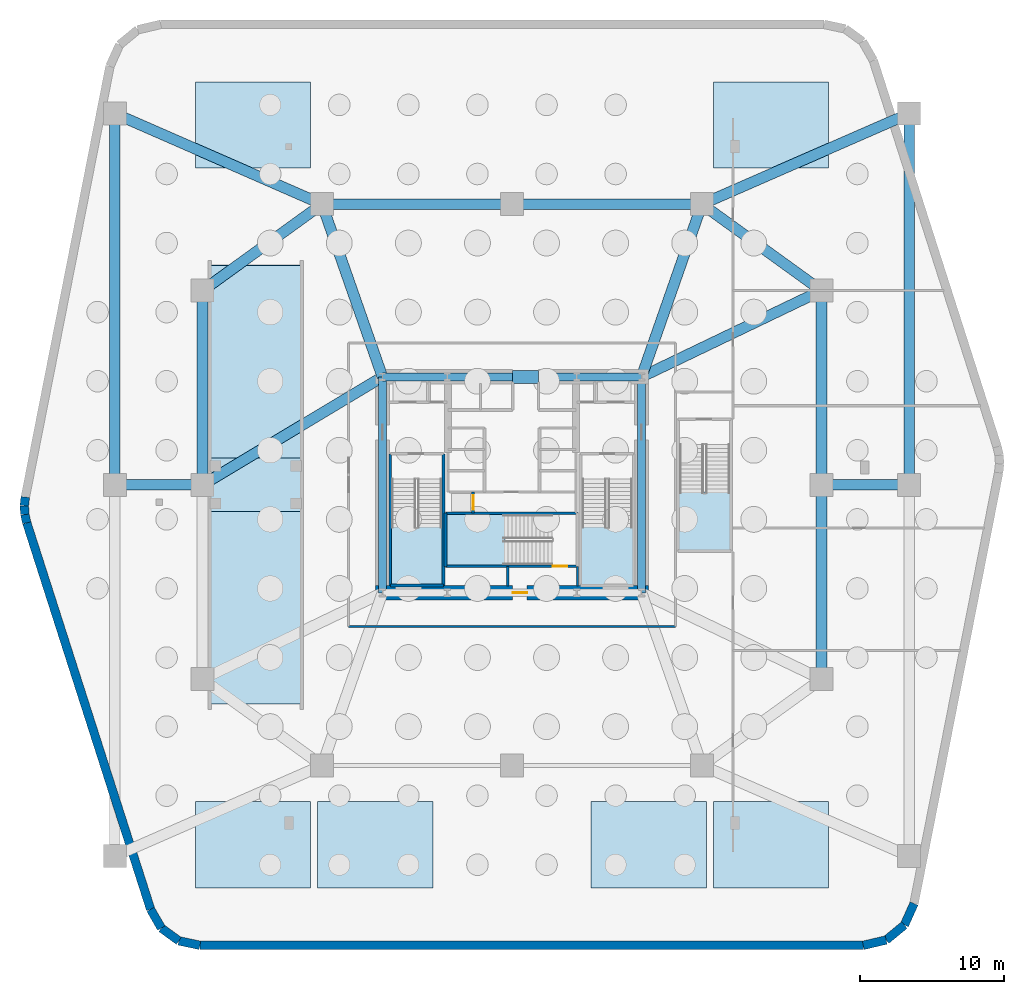
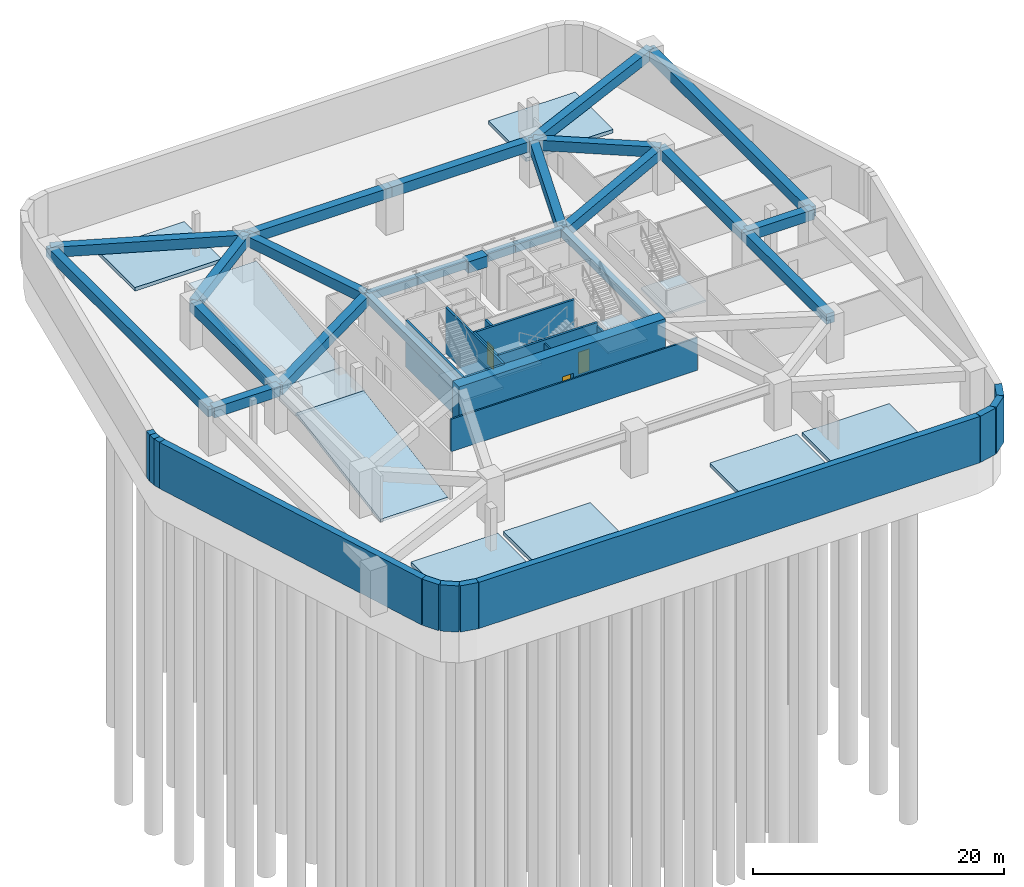
# One storey, part 2 of 8: 23 beams, 22 walls, 13 slabs, 3 doors, 3 openings, 4 elements without a shape of their own.
"""IFC4 building model written with IfcOpenShell, lengths in metres."""

import ifcopenshell
import ifcopenshell.guid

model = None  # the IFC model being written
_history = None  # IfcOwnerHistory: only IFC2X3 demands one
_inside = {}  # id of a spatial element -> (the spatial element, [elements in it])
_under = {}  # id of a project, library or spatial element -> (it, [spatial elements below it])
_declared = {}  # id of a project -> (the project, [libraries it declares])
_typed = {}  # id of a type object -> (the type object, [elements of that type])
_made_of = {}  # id of a material, layer set ... -> (it, [elements and type objects made of it])


def new_model(schema):
    """Start an empty IFC model of exactly this schema.

    Asked for "IFC4X3", IfcOpenShell would pick the latest addendum, in which some entities
    have other attributes; the version numbers below select the first issue.
    IFC2X3 requires an IfcOwnerHistory on every rooted entity: one is made here for all.
    """
    global model, _history
    if schema == "IFC4X3":
        model = ifcopenshell.file(schema_version=(4, 3, 0, 0))
    else:
        model = ifcopenshell.file(schema=schema)
    _inside.clear()
    _under.clear()
    _declared.clear()
    _typed.clear()
    _made_of.clear()
    _history = None
    if model.schema == "IFC2X3":
        org = make("IfcOrganization", Name="unknown")
        user = make(
            "IfcPersonAndOrganization",
            ThePerson=make("IfcPerson", FamilyName="unknown"),
            TheOrganization=org,
        )
        app = make(
            "IfcApplication",
            ApplicationDeveloper=org,
            Version="unknown",
            ApplicationFullName="unknown",
            ApplicationIdentifier="unknown",
        )
        _history = make(
            "IfcOwnerHistory",
            OwningUser=user,
            OwningApplication=app,
            ChangeAction="ADDED",
            CreationDate=0,
        )
    return model


def make(cls, **values):
    """One entity of the class cls with the attributes given. An attribute that is None is left unset."""
    return model.create_entity(
        cls, **{name: value for name, value in values.items() if value is not None}
    )


def rooted(cls, **values):
    """An entity with a GlobalId (a new one), such as an element, a storey or a relation."""
    return make(cls, GlobalId=ifcopenshell.guid.new(), OwnerHistory=_history, **values)


def si_unit(unit_type, name, prefix=None):
    """IfcSIUnit, for example si_unit("LENGTHUNIT", "METRE", prefix="MILLI")."""
    return make("IfcSIUnit", UnitType=unit_type, Prefix=prefix, Name=name)


def assignment(units):
    """IfcUnitAssignment: the units of a project."""
    return None if units is None else make("IfcUnitAssignment", Units=units)


def point(xyz):
    """IfcCartesianPoint."""
    return None if xyz is None else make("IfcCartesianPoint", Coordinates=xyz)


def direction(xyz):
    """IfcDirection."""
    return None if xyz is None else make("IfcDirection", DirectionRatios=xyz)


def frame(location, z_axis=None, x_axis=None):
    """IfcAxis2Placement3D, a coordinate frame: its origin and axes. An axis left out is left unset."""
    return make(
        "IfcAxis2Placement3D",
        Location=point(location),
        Axis=direction(z_axis),
        RefDirection=direction(x_axis),
    )


def frame_2d(location, x_axis=None):
    """IfcAxis2Placement2D, a coordinate frame in the plane: its origin and x axis."""
    return make(
        "IfcAxis2Placement2D", Location=point(location), RefDirection=direction(x_axis)
    )


def origin():
    """The frame at (0, 0, 0) with its axes left unset."""
    return frame((0.0, 0.0, 0.0))


def origin_2d():
    """The frame at (0, 0) in the plane with its x axis left unset."""
    return frame_2d((0.0, 0.0))


def place(relative_to, where):
    """IfcLocalPlacement: puts the frame where relative to a parent placement (None: the world)."""
    return make(
        "IfcLocalPlacement", PlacementRelTo=relative_to, RelativePlacement=where
    )


def context(
    kind, dimensions, precision=None, world=None, true_north=None, identifier=None
):
    """IfcGeometricRepresentationContext, for example the 3D "Model" context."""
    return make(
        "IfcGeometricRepresentationContext",
        ContextIdentifier=identifier,
        ContextType=kind,
        CoordinateSpaceDimension=dimensions,
        Precision=precision,
        WorldCoordinateSystem=world,
        TrueNorth=true_north,
    )


def subcontext(parent, identifier, kind, view, scale=None):
    """IfcGeometricRepresentationSubContext, for example "Body" below "Model"."""
    return make(
        "IfcGeometricRepresentationSubContext",
        ContextIdentifier=identifier,
        ContextType=kind,
        ParentContext=parent,
        TargetScale=scale,
        TargetView=view,
    )


def project(units=None, contexts=None):
    """IfcProject with its units and contexts."""
    return rooted(
        "IfcProject",
        Name="project",
        RepresentationContexts=contexts,
        UnitsInContext=assignment(units),
    )


def spatial(cls, under=None, at=None, **own):
    """A site, building, storey or space (cls), placed at a placement, below another one or the project."""
    s = rooted(cls, ObjectPlacement=at, **own)
    if under is not None:
        _under.setdefault(under.id(), (under, []))[1].append(s)
    return s


def polyline(points):
    """IfcPolyline through the points."""
    return make("IfcPolyline", Points=[point(p) for p in points])


def profile(cls, at=None, kind="AREA", **sizes):
    """A parametric profile (cls). Its sizes go by their IFC names, for example OverallWidth=200.0."""
    return make(cls, ProfileType=kind, Position=at, **sizes)


def rectangle(**sizes):
    """IfcRectangleProfileDef."""
    return profile("IfcRectangleProfileDef", **sizes)


def outline(outer, holes=None, kind="AREA"):
    """IfcArbitraryClosedProfileDef: a profile drawn as a closed curve; with holes, ...WithVoids."""
    if holes is None:
        return make("IfcArbitraryClosedProfileDef", ProfileType=kind, OuterCurve=outer)
    return make(
        "IfcArbitraryProfileDefWithVoids",
        ProfileType=kind,
        OuterCurve=outer,
        InnerCurves=holes,
    )


def extrude(swept, where, along, depth):
    """IfcExtrudedAreaSolid: the profile swept, set in the frame where, extruded along a direction by depth."""
    return make(
        "IfcExtrudedAreaSolid",
        SweptArea=swept,
        Position=where,
        ExtrudedDirection=direction(along),
        Depth=depth,
    )


def shape(context_of_items, identifier, shape_type, items):
    """IfcShapeRepresentation: the items that make up one representation, for example the "Body"."""
    return make(
        "IfcShapeRepresentation",
        ContextOfItems=context_of_items,
        RepresentationIdentifier=identifier,
        RepresentationType=shape_type,
        Items=items,
    )


def material(Name=None, Category=None):
    """IfcMaterial."""
    return make("IfcMaterial", Name=Name, Category=Category)


def layer(
    of_material, thickness, ventilated=None, Name=None, Category=None, Priority=None
):
    """IfcMaterialLayer: one layer of a wall or slab, of a material (None: an air gap)."""
    return make(
        "IfcMaterialLayer",
        Material=of_material,
        LayerThickness=thickness,
        IsVentilated=ventilated,
        Name=Name,
        Category=Category,
        Priority=Priority,
    )


def layer_set(layers, Name=None):
    """IfcMaterialLayerSet."""
    return make("IfcMaterialLayerSet", MaterialLayers=layers, LayerSetName=Name)


def material_profile(
    of_material, cross_section, Name=None, Category=None, Priority=None
):
    """IfcMaterialProfile: a cross section and its material."""
    return make(
        "IfcMaterialProfile",
        Name=Name,
        Material=of_material,
        Profile=cross_section,
        Priority=Priority,
        Category=Category,
    )


def profile_set(profiles, Name=None, composite=None):
    """IfcMaterialProfileSet."""
    return make(
        "IfcMaterialProfileSet",
        Name=Name,
        MaterialProfiles=profiles,
        CompositeProfile=composite,
    )


def made_of(thing, what):
    """Note that an element or type object is made of a material, layer set ...; save() writes the relation."""
    if what is not None:
        _made_of.setdefault(what.id(), (what, []))[1].append(thing)
    return thing


def type_object(cls, material=None, **own):
    """A type object (cls), such as IfcWallType, which elements share."""
    return made_of(rooted(cls, **own), material)


def element(
    cls,
    number,
    at=None,
    inside=None,
    cuts=None,
    type_object=None,
    material=None,
    context=None,
    identifier="Body",
    shape_type=None,
    held_by="IfcProductDefinitionShape",
    body=None,
    shapes=None,
    **own,
):
    """One element of the class cls, such as IfcWall. Its Tag is "e" and its number.

    at: its placement. inside: the storey or other place that contains it. cuts: it is an
    opening in that element (IfcRelVoidsElement). A single representation is given by context,
    identifier, shape_type and body (its items); several are given by shapes. held_by: the class
    of the entity that holds the representations. save() writes the other relations.
    """
    e = rooted(cls, Tag="e%d" % number, ObjectPlacement=at, **own)
    if body is not None:
        shapes = [shape(context, identifier, shape_type, body)]
    if shapes is not None:
        e.Representation = make(held_by, Representations=shapes)
    if inside is not None:
        _inside.setdefault(inside.id(), (inside, []))[1].append(e)
    if cuts is not None:
        rooted(
            "IfcRelVoidsElement", RelatingBuildingElement=cuts, RelatedOpeningElement=e
        )
    if type_object is not None:
        _typed.setdefault(type_object.id(), (type_object, []))[1].append(e)
    return made_of(e, material)


def fill(opening, filler):
    """IfcRelFillsElement: the door or window that sits in an opening."""
    return rooted(
        "IfcRelFillsElement",
        RelatingOpeningElement=opening,
        RelatedBuildingElement=filler,
    )


def aggregate(whole, parts):
    """IfcRelAggregates: a whole, such as a stair, and the parts it consists of."""
    return rooted("IfcRelAggregates", RelatingObject=whole, RelatedObjects=parts)


def save(model, path):
    """Write the relations noted so far, then the file.

    IfcRelAggregates (storeys below a building ...), IfcRelContainedInSpatialStructure (elements
    in a storey), IfcRelDefinesByType, IfcRelAssociatesMaterial and IfcRelDeclares: one each for
    every whole, place, type object, material and project.
    """
    for whole, parts in _under.values():
        aggregate(whole, parts)
    for where, things in _inside.values():
        rooted(
            "IfcRelContainedInSpatialStructure",
            RelatedElements=things,
            RelatingStructure=where,
        )
    for kind, things in _typed.values():
        rooted("IfcRelDefinesByType", RelatedObjects=things, RelatingType=kind)
    for what, things in _made_of.values():
        rooted("IfcRelAssociatesMaterial", RelatedObjects=things, RelatingMaterial=what)
    for by, libraries in _declared.values():
        rooted("IfcRelDeclares", RelatingContext=by, RelatedDefinitions=libraries)
    model.write(path)


model = new_model("IFC4")

# Units and contexts
model_context = context("Model", 3, precision=1e-05, world=origin(), true_north=direction((0.0, 1.0)))
body_context = subcontext(model_context, "Body", "Model", "MODEL_VIEW")
ifc_project = project(units=[si_unit("LENGTHUNIT", "METRE"), si_unit("AREAUNIT", "SQUARE_METRE"), si_unit("VOLUMEUNIT", "CUBIC_METRE"), si_unit("PLANEANGLEUNIT", "RADIAN"), si_unit("MASSUNIT", "GRAM", prefix="KILO")], contexts=[model_context])

# Site, building, storey
site_placement = place(None, origin())
site = spatial("IfcSite", under=ifc_project, at=site_placement, CompositionType="ELEMENT")
building_placement = place(site_placement, origin())
building = spatial("IfcBuilding", under=site, at=building_placement, Name="Kilnhurst Terrace Hotel", CompositionType="ELEMENT")
storey_placement = place(building_placement, frame((0.0, 0.0, -9.0)))
storey = spatial("IfcBuildingStorey", under=building, at=storey_placement, Name="B2", CompositionType="ELEMENT", Elevation=-9.0)

# Beams
ifc_material_1 = material(Name="Concrete C50/60", Category="concrete")
ifc_material_profile_1 = material_profile(ifc_material_1, rectangle(XDim=0.550048828125, YDim=0.75, at=origin_2d()), Name="RC550X750")
ifc_profile_set_1 = profile_set([ifc_material_profile_1], Name="Concrete C50/60")
beam_type_1 = type_object("IfcBeamType", Name="BM-SPN-550X750", PredefinedType="SPANDREL", material=ifc_profile_set_1)
beam_1_placement = place(storey_placement, frame((-9.0, 7.5, 3.804931640625), z_axis=(1.0, 0.0, 0.0), x_axis=(0.0, 1.0, 0.0)))
element("IfcBeam", 1, at=beam_1_placement, inside=storey, type_object=beam_type_1, Name="B2 Core Tie Beam CC-NW to CC-NC1", PredefinedType="SPANDREL", context=body_context, shape_type="SweptSolid", body=[
    extrude(rectangle(XDim=0.550048828125, YDim=0.75, at=origin_2d()), origin(), (0.0, 0.0, 1.0), 4.5),
])
beam_2_placement = place(storey_placement, frame((-4.5, 7.5, 3.804931640625), z_axis=(1.0, 0.0, 0.0), x_axis=(0.0, 1.0, 0.0)))
element("IfcBeam", 2, at=beam_2_placement, inside=storey, type_object=beam_type_1, Name="B2 Core Tie Beam CC-NC1 to CC-NC2", PredefinedType="SPANDREL", context=body_context, shape_type="SweptSolid", body=[
    extrude(rectangle(XDim=0.550048828125, YDim=0.75, at=origin_2d()), origin(), (0.0, 0.0, 1.0), 9.0),
])
beam_3_placement = place(storey_placement, frame((4.5, 7.5, 3.804931640625), z_axis=(1.0, 0.0, 0.0), x_axis=(0.0, 1.0, 0.0)))
element("IfcBeam", 3, at=beam_3_placement, inside=storey, type_object=beam_type_1, Name="B2 Core Tie Beam CC-NC2 to CC-NE", PredefinedType="SPANDREL", context=body_context, shape_type="SweptSolid", body=[
    extrude(rectangle(XDim=0.550048828125, YDim=0.75, at=origin_2d()), origin(), (0.0, 0.0, 1.0), 4.5),
])
for number, where, z_axis, x_axis, name in (
    (4, (-9.0, -7.5, 3.804931640625), (0.0, 1.0, 0.0), (-1.0, 0.0, 0.0), "B2 Core Tie Beam CC-SW to CC-NW"),
    (5, (9.0, -7.5, 3.804931640625), (0.0, 1.0, 0.0), (-1.0, 0.0, 0.0), "B2 Core Tie Beam CC-SE to CC-NE"),
):
    element("IfcBeam", number, at=place(storey_placement, frame(where, z_axis=z_axis, x_axis=x_axis)), inside=storey, type_object=beam_type_1, Name=name, PredefinedType="SPANDREL", context=body_context, shape_type="SweptSolid", body=[
        extrude(rectangle(XDim=0.550048828125, YDim=0.75, at=origin_2d()), origin(), (0.0, 0.0, 1.0), 15.0),
    ])
ifc_material_2 = material(Name="Concrete C80/95", Category="concrete")
ifc_material_profile_2 = material_profile(ifc_material_2, rectangle(XDim=0.89990234375, YDim=1.10009765625, at=origin_2d()), Name="RC900X1100")
ifc_profile_set_2 = profile_set([ifc_material_profile_2], Name="Concrete C80/95")
beam_type_2 = type_object("IfcBeamType", Name="LNT-CB-900X1100", PredefinedType="LINTEL", material=ifc_profile_set_2)
beam_4_placement = place(storey_placement, frame((0.050048828125, 7.5, 3.6298828125), z_axis=(1.0, 0.0, 0.0), x_axis=(0.0, 1.0, 0.0)))
element("IfcBeam", 6, at=beam_4_placement, inside=storey, type_object=beam_type_2, Name="B2 North Core Coupling Link Beam", PredefinedType="LINTEL", context=body_context, shape_type="SweptSolid", body=[
    extrude(rectangle(XDim=0.89990234375, YDim=1.10009765625, at=origin_2d()), origin(), (0.0, 0.0, 1.0), 1.800048828125),
])
ifc_material_profile_3 = material_profile(ifc_material_1, rectangle(XDim=0.75, YDim=1.0, at=origin_2d()), Name="RC750X1000")
ifc_profile_set_3 = profile_set([ifc_material_profile_3], Name="Concrete C50/60")
beam_type_3 = type_object("IfcBeamType", Name="TBM-GAR-750X1000", PredefinedType="T_BEAM", material=ifc_profile_set_3)
beam_5_placement = place(storey_placement, frame((-21.5, 0.0, 3.679931640625), z_axis=(0.0, 1.0, 0.0), x_axis=(-1.0, 0.0, 0.0)))
element("IfcBeam", 7, at=beam_5_placement, inside=storey, type_object=beam_type_3, Name="B2 Podium Frame Beam 2", PredefinedType="T_BEAM", context=body_context, shape_type="SweptSolid", body=[
    extrude(rectangle(XDim=0.75, YDim=1.0, at=origin_2d()), origin(), (0.0, 0.0, 1.0), 13.5),
])
beam_6_placement = place(storey_placement, frame((-21.5, 13.5, 3.679931640625), z_axis=(0.810423314702, 0.585844732833, 0.0), x_axis=(-0.585844732833, 0.810423314702, 0.0)))
element("IfcBeam", 8, at=beam_6_placement, inside=storey, type_object=beam_type_3, Name="B2 Podium Frame Beam 3", PredefinedType="T_BEAM", context=body_context, shape_type="SweptSolid", body=[
    extrude(rectangle(XDim=0.75, YDim=1.0, at=origin_2d()), origin(), (0.0, 0.0, 1.0), 10.24169921875),
])
for number, where, z_axis, x_axis, name in (
    (9, (-13.199951171875, 19.5, 3.679931640625), (1.0, 0.0, 0.0), (0.0, 1.0, 0.0), "B2 Podium Frame Beam 4"),
    (10, (0.0, 19.5, 3.679931640625), (1.0, 0.0, 0.0), (0.0, 1.0, 0.0), "B2 Podium Frame Beam 5"),
):
    element("IfcBeam", number, at=place(storey_placement, frame(where, z_axis=z_axis, x_axis=x_axis)), inside=storey, type_object=beam_type_3, Name=name, PredefinedType="T_BEAM", context=body_context, shape_type="SweptSolid", body=[
        extrude(rectangle(XDim=0.75, YDim=1.0, at=origin_2d()), origin(), (0.0, 0.0, 1.0), 13.199951171875),
    ])
beam_7_placement = place(storey_placement, frame((13.199951171875, 19.5, 3.679931640625), z_axis=(0.810423314702, -0.585844732833, 0.0), x_axis=(0.585844732833, 0.810423314702, 0.0)))
element("IfcBeam", 11, at=beam_7_placement, inside=storey, type_object=beam_type_3, Name="B2 Podium Frame Beam 6", PredefinedType="T_BEAM", context=body_context, shape_type="SweptSolid", body=[
    extrude(rectangle(XDim=0.75, YDim=1.0, at=origin_2d()), origin(), (0.0, 0.0, 1.0), 10.24169921875),
])
for number, where, z_axis, x_axis, name in (
    (12, (21.5, 13.5, 3.679931640625), (0.0, -1.0, 0.0), (1.0, 0.0, 0.0), "B2 Podium Frame Beam 7"),
    (13, (21.5, 0.0, 3.679931640625), (0.0, -1.0, 0.0), (1.0, 0.0, 0.0), "B2 Podium Frame Beam 8"),
):
    element("IfcBeam", number, at=place(storey_placement, frame(where, z_axis=z_axis, x_axis=x_axis)), inside=storey, type_object=beam_type_3, Name=name, PredefinedType="T_BEAM", context=body_context, shape_type="SweptSolid", body=[
        extrude(rectangle(XDim=0.75, YDim=1.0, at=origin_2d()), origin(), (0.0, 0.0, 1.0), 13.5),
    ])
beam_8_placement = place(storey_placement, frame((-21.5, 0.0, 3.679931640625), z_axis=(0.857492925713, 0.514495755428, 0.0), x_axis=(-0.514495755428, 0.857492925713, 0.0)))
element("IfcBeam", 14, at=beam_8_placement, inside=storey, type_object=beam_type_3, Name="B2 Podium Frame Beam 9", PredefinedType="T_BEAM", context=body_context, shape_type="SweptSolid", body=[
    extrude(rectangle(XDim=0.75, YDim=1.0, at=origin_2d()), origin(), (0.0, 0.0, 1.0), 14.577392578125),
])
beam_9_placement = place(storey_placement, frame((21.5, 13.5, 3.679931640625), z_axis=(-0.901523057468, -0.432731067585, 0.0), x_axis=(0.432731067585, -0.901523057468, 0.0)))
element("IfcBeam", 15, at=beam_9_placement, inside=storey, type_object=beam_type_3, Name="B2 Podium Frame Beam 11", PredefinedType="T_BEAM", context=body_context, shape_type="SweptSolid", body=[
    extrude(rectangle(XDim=0.75, YDim=1.0, at=origin_2d()), origin(), (0.0, 0.0, 1.0), 13.865478515625),
])
for number, where, z_axis, x_axis, name in (
    (16, (-13.199951171875, 19.5, 3.679931640625), (0.330347003279, -0.943859553866, 0.0), (0.943859553866, 0.330347003279, 0.0), "B2 Podium Frame Beam 13"),
    (17, (13.199951171875, 19.5, 3.679931640625), (-0.330347003279, -0.943859553866, 0.0), (0.943859553866, -0.330347003279, 0.0), "B2 Podium Frame Beam 14"),
):
    element("IfcBeam", number, at=place(storey_placement, frame(where, z_axis=z_axis, x_axis=x_axis)), inside=storey, type_object=beam_type_3, Name=name, PredefinedType="T_BEAM", context=body_context, shape_type="SweptSolid", body=[
        extrude(rectangle(XDim=0.75, YDim=1.0, at=origin_2d()), origin(), (0.0, 0.0, 1.0), 12.7138671875),
    ])
beam_10_placement = place(storey_placement, frame((-27.60009765625, 0.0, 3.679931640625), z_axis=(0.0, 1.0, 0.0), x_axis=(-1.0, 0.0, 0.0)))
element("IfcBeam", 18, at=beam_10_placement, inside=storey, type_object=beam_type_3, Name="B2 Outer Ring Tee Beam 2", PredefinedType="T_BEAM", context=body_context, shape_type="SweptSolid", body=[
    extrude(rectangle(XDim=0.75, YDim=1.0, at=origin_2d()), origin(), (0.0, 0.0, 1.0), 25.800048828125),
])
beam_11_placement = place(storey_placement, frame((-27.60009765625, 25.800048828125, 3.679931640625), z_axis=(0.916157691387, -0.400818019196, 0.0), x_axis=(0.400818019196, 0.916157691387, 0.0)))
element("IfcBeam", 19, at=beam_11_placement, inside=storey, type_object=beam_type_3, Name="B2 Outer Ring Tee Beam 3", PredefinedType="T_BEAM", context=body_context, shape_type="SweptSolid", body=[
    extrude(rectangle(XDim=0.75, YDim=1.0, at=origin_2d()), origin(), (0.0, 0.0, 1.0), 15.718017578125),
])
beam_12_placement = place(storey_placement, frame((27.60009765625, 0.0, 3.679931640625), z_axis=(0.0, 1.0, 0.0), x_axis=(-1.0, 0.0, 0.0)))
element("IfcBeam", 20, at=beam_12_placement, inside=storey, type_object=beam_type_3, Name="B2 Outer Ring Tee Beam 5", PredefinedType="T_BEAM", context=body_context, shape_type="SweptSolid", body=[
    extrude(rectangle(XDim=0.75, YDim=1.0, at=origin_2d()), origin(), (0.0, 0.0, 1.0), 25.800048828125),
])
beam_13_placement = place(storey_placement, frame((27.60009765625, 25.800048828125, 3.679931640625), z_axis=(-0.916157691387, -0.400818019196, 0.0), x_axis=(0.400818019196, -0.916157691387, 0.0)))
element("IfcBeam", 21, at=beam_13_placement, inside=storey, type_object=beam_type_3, Name="B2 Outer Ring Tee Beam 6", PredefinedType="T_BEAM", context=body_context, shape_type="SweptSolid", body=[
    extrude(rectangle(XDim=0.75, YDim=1.0, at=origin_2d()), origin(), (0.0, 0.0, 1.0), 15.718017578125),
])
for number, where, z_axis, x_axis, name in (
    (22, (-27.60009765625, 0.0, 3.679931640625), (1.0, 0.0, 0.0), (0.0, 1.0, 0.0), "B2 Outer Ring Tee Beam 7"),
    (23, (27.60009765625, 0.0, 3.679931640625), (-1.0, 0.0, 0.0), (0.0, -1.0, 0.0), "B2 Outer Ring Tee Beam 8"),
):
    element("IfcBeam", number, at=place(storey_placement, frame(where, z_axis=z_axis, x_axis=x_axis)), inside=storey, type_object=beam_type_3, Name=name, PredefinedType="T_BEAM", context=body_context, shape_type="SweptSolid", body=[
        extrude(rectangle(XDim=0.75, YDim=1.0, at=origin_2d()), origin(), (0.0, 0.0, 1.0), 6.10009765625),
    ])

# Slabs
ifc_layer_1 = layer(ifc_material_1, 0.35009765625, Name="Concrete C50/60")
ifc_layer_set_1 = layer_set([ifc_layer_1], Name="Concrete C50/60")
slab_type_1 = type_object("IfcSlabType", Name="SLB-BASE-350", PredefinedType="BASESLAB", material=ifc_layer_set_1)
slab_1_placement = place(storey_placement, origin())
element("IfcSlab", 24, at=slab_1_placement, inside=storey, type_object=slab_type_1, Name="B2 Basement Structural Wearing Base Slab 1", PredefinedType="BASESLAB", context=body_context, shape_type="SweptSolid", body=[
    extrude(outline(polyline([(-22.0, -28.0), (-14.0, -28.0), (-14.0, -22.0), (-22.0, -22.0), (-22.0, -28.0)])), origin(), (0.0, 0.0, 1.0), 0.35009765625),
])
slab_2_placement = place(storey_placement, origin())
element("IfcSlab", 25, at=slab_2_placement, inside=storey, type_object=slab_type_1, Name="B2 Basement Structural Wearing Base Slab 2", PredefinedType="BASESLAB", context=body_context, shape_type="SweptSolid", body=[
    extrude(outline(polyline([(-13.5, -28.0), (-5.5, -28.0), (-5.5, -22.0), (-13.5, -22.0), (-13.5, -28.0)])), origin(), (0.0, 0.0, 1.0), 0.35009765625),
])
slab_3_placement = place(storey_placement, origin())
element("IfcSlab", 26, at=slab_3_placement, inside=storey, type_object=slab_type_1, Name="B2 Basement Structural Wearing Base Slab 3", PredefinedType="BASESLAB", context=body_context, shape_type="SweptSolid", body=[
    extrude(outline(polyline([(5.5, -28.0), (13.5, -28.0), (13.5, -22.0), (5.5, -22.0), (5.5, -28.0)])), origin(), (0.0, 0.0, 1.0), 0.35009765625),
])
slab_4_placement = place(storey_placement, origin())
element("IfcSlab", 27, at=slab_4_placement, inside=storey, type_object=slab_type_1, Name="B2 Basement Structural Wearing Base Slab 4", PredefinedType="BASESLAB", context=body_context, shape_type="SweptSolid", body=[
    extrude(outline(polyline([(14.0, -28.0), (22.0, -28.0), (22.0, -22.0), (14.0, -22.0), (14.0, -28.0)])), origin(), (0.0, 0.0, 1.0), 0.35009765625),
])
slab_5_placement = place(storey_placement, origin())
element("IfcSlab", 28, at=slab_5_placement, inside=storey, type_object=slab_type_1, Name="B2 Basement Structural Wearing Base Slab 5", PredefinedType="BASESLAB", context=body_context, shape_type="SweptSolid", body=[
    extrude(outline(polyline([(-22.0, 22.0), (-14.0, 22.0), (-14.0, 28.0), (-22.0, 28.0), (-22.0, 22.0)])), origin(), (0.0, 0.0, 1.0), 0.35009765625),
])
slab_6_placement = place(storey_placement, origin())
element("IfcSlab", 29, at=slab_6_placement, inside=storey, type_object=slab_type_1, Name="B2 Basement Structural Wearing Base Slab 6", PredefinedType="BASESLAB", context=body_context, shape_type="SweptSolid", body=[
    extrude(outline(polyline([(14.0, 22.0), (22.0, 22.0), (22.0, 28.0), (14.0, 28.0), (14.0, 22.0)])), origin(), (0.0, 0.0, 1.0), 0.35009765625),
])
ifc_layer_2 = layer(ifc_material_1, 0.300048828125, Name="Concrete C50/60")
ifc_layer_set_2 = layer_set([ifc_layer_2], Name="Concrete C50/60")
slab_type_2 = type_object("IfcSlabType", Name="SLB-RMP-LND-300", PredefinedType="FLOOR", material=ifc_layer_set_2)
slab_7_placement = place(storey_placement, frame((0.0, 0.0, 1.949951171875)))
element("IfcSlab", 30, at=slab_7_placement, inside=storey, type_object=slab_type_2, Name="B2 Vehicle Car Park Ramp Driveway R1 Intermediate Deck Slab", PredefinedType="FLOOR", context=body_context, shape_type="SweptSolid", body=[
    extrude(outline(polyline([(-21.0, -1.85009765625), (-14.60009765625, -1.85009765625), (-14.60009765625, 1.85009765625), (-21.0, 1.85009765625), (-21.0, -1.85009765625)])), origin(), (0.0, 0.0, 1.0), 0.300048828125),
])
ifc_layer_3 = layer(ifc_material_1, 0.300048828125, Name="Concrete C50/60")
ifc_layer_set_3 = layer_set([ifc_layer_3], Name="Concrete C50/60")
slab_type_3 = type_object("IfcSlabType", Name="SLB-RMP-VEH-300", PredefinedType="FLOOR", material=ifc_layer_set_3)
for number, where, z_axis, x_axis, name in (
    (31, (-20.89990234375, -15.239990234375, 0.0), (0.0, -0.165834457768, 0.986153604981), (1.0, 0.0, 0.0), "B2 Vehicle Car Park Ramp R1 Lower Structural Slab"),
    (32, (-20.89990234375, 1.860107421875, 2.25), (0.0, -0.165834457768, 0.986153604981), (1.0, 0.0, 0.0), "B2 Vehicle Car Park Ramp R1 Upper Structural Slab"),
):
    element("IfcSlab", number, at=place(storey_placement, frame(where, z_axis=z_axis, x_axis=x_axis)), inside=storey, type_object=slab_type_3, Name=name, PredefinedType="FLOOR", context=body_context, shape_type="SweptSolid", body=[
        extrude(outline(polyline([(0.0, 0.0), (6.199951171875, 0.0), (6.199951171875, 13.567747199746645), (0.0, 13.567747199746645), (0.0, 0.0)])), origin(), (0.0, 0.0, -1.0), 0.300048828125),
    ])

# Stair, slab
stair_type_1 = type_object("IfcStairType", Name="STR-CORE-1660", PredefinedType="HALF_TURN_STAIR", material=ifc_material_1)
stair_1_placement = place(storey_placement, origin())
stair_1 = element("IfcStair", 33, at=stair_1_placement, inside=storey, type_object=stair_type_1, Name="B2 ST-1", PredefinedType="HALF_TURN_STAIR")
ifc_layer_4 = layer(ifc_material_1, 0.199951171875, Name="Concrete C50/60")
ifc_layer_set_4 = layer_set([ifc_layer_4], Name="Concrete C50/60")
slab_type_4 = type_object("IfcSlabType", Name="SLB-ST-LND-200", PredefinedType="LANDING", material=ifc_layer_set_4)
slab_8_placement = place(storey_placement, frame((0.0, 0.0, 2.050048828125)))
slab_8 = element("IfcSlab", 34, at=slab_8_placement, type_object=slab_type_4, Name="ST-1 landing 1", PredefinedType="LANDING", context=body_context, shape_type="SweptSolid", body=[
    extrude(outline(polyline([(-8.429931640625, -2.889892578125), (-4.800048828125, -2.889892578125), (-4.800048828125, -6.97998046875), (-8.429931640625, -6.97998046875), (-8.429931640625, -2.889892578125)])), origin(), (0.0, 0.0, 1.0), 0.199951171875),
])
aggregate(stair_1, [slab_8])

stair_2_placement = place(storey_placement, origin())
stair_2 = element("IfcStair", 35, at=stair_2_placement, inside=storey, type_object=stair_type_1, Name="B2 ST-2", PredefinedType="HALF_TURN_STAIR")
slab_9_placement = place(storey_placement, frame((0.0, 0.0, 2.050048828125)))
slab_9 = element("IfcSlab", 36, at=slab_9_placement, type_object=slab_type_4, Name="ST-2 landing 1", PredefinedType="LANDING", context=body_context, shape_type="SweptSolid", body=[
    extrude(outline(polyline([(4.800048828125, -2.889892578125), (8.429931640625, -2.889892578125), (8.429931640625, -6.97998046875), (4.800048828125, -6.97998046875), (4.800048828125, -2.889892578125)])), origin(), (0.0, 0.0, 1.0), 0.199951171875),
])
aggregate(stair_2, [slab_9])

stair_3_placement = place(storey_placement, origin())
stair_3 = element("IfcStair", 37, at=stair_3_placement, inside=storey, type_object=stair_type_1, Name="B2 ST-3", PredefinedType="HALF_TURN_STAIR")
slab_10_placement = place(storey_placement, frame((0.0, 0.0, 2.050048828125)))
slab_10 = element("IfcSlab", 38, at=slab_10_placement, type_object=slab_type_4, Name="ST-3 landing 1", PredefinedType="LANDING", context=body_context, shape_type="SweptSolid", body=[
    extrude(outline(polyline([(-0.489990234375, -2.0), (-0.489990234375, -5.6298828125), (-4.580078125, -5.6298828125), (-4.580078125, -2.0), (-0.489990234375, -2.0)])), origin(), (0.0, 0.0, 1.0), 0.199951171875),
])
aggregate(stair_3, [slab_10])

ifc_material_3 = material(Name="Concrete C40/50", Category="concrete")
stair_type_2 = type_object("IfcStairType", Name="STR-POD-1660", PredefinedType="HALF_TURN_STAIR", material=ifc_material_3)
stair_4_placement = place(storey_placement, origin())
stair_4 = element("IfcStair", 39, at=stair_4_placement, inside=storey, type_object=stair_type_2, Name="B2 ST-4", PredefinedType="HALF_TURN_STAIR")
slab_11_placement = place(storey_placement, frame((0.0, 0.0, 2.050048828125)))
slab_11 = element("IfcSlab", 40, at=slab_11_placement, type_object=slab_type_4, Name="ST-4 landing 1", PredefinedType="LANDING", context=body_context, shape_type="SweptSolid", body=[
    extrude(outline(polyline([(11.570068359375, -0.489990234375), (15.199951171875, -0.489990234375), (15.199951171875, -4.580078125), (11.570068359375, -4.580078125), (11.570068359375, -0.489990234375)])), origin(), (0.0, 0.0, 1.0), 0.199951171875),
])
aggregate(stair_4, [slab_11])

# Wall
ifc_material_4 = material(Name="Acoustic Double-Gypsum Corridor Partition Assembly")
ifc_layer_5 = layer(ifc_material_4, 0.14990234375, Name="Acoustic Double-Gypsum Corridor Partition Assembly")
ifc_layer_set_5 = layer_set([ifc_layer_5], Name="Acoustic Double-Gypsum Corridor Partition Assembly")
wall_type_1 = type_object("IfcWallType", Name="WL-COR-150", PredefinedType="PARTITIONING", material=ifc_layer_set_5)
wall_1_placement = place(storey_placement, frame((11.35009765625, -9.85009765625, 0.0), z_axis=(0.0, 0.0, 1.0), x_axis=(-1.0, 0.0, 0.0)))
element("IfcWall", 41, at=wall_1_placement, inside=storey, type_object=wall_type_1, Name="B2 Interior Wall WL-B2-COR-04", PredefinedType="PARTITIONING", context=body_context, shape_type="SweptSolid", body=[
    extrude(rectangle(XDim=22.7001953125, YDim=0.14990234375, at=frame_2d((11.35009765625, 0.0))), origin(), (0.0, 0.0, 1.0), 3.169921875),
])

# Wall, opening, door
ifc_layer_6 = layer(ifc_material_2, 1.0, Name="Concrete C80/95")
ifc_layer_set_6 = layer_set([ifc_layer_6], Name="Concrete C80/95")
wall_type_2 = type_object("IfcWallType", Name="WL-CORE-1000", PredefinedType="SHEAR", material=ifc_layer_set_6)
wall_2_placement = place(storey_placement, frame((-9.5, -7.5, 0.0), z_axis=(0.0, 0.0, 1.0), x_axis=(1.0, 0.0, 0.0)))
wall_2 = element("IfcWall", 42, at=wall_2_placement, inside=storey, type_object=wall_type_2, Name="B2 Core South Shear Wall", PredefinedType="SHEAR", context=body_context, shape_type="SweptSolid", body=[
    extrude(rectangle(XDim=19.0, YDim=1.0, at=frame_2d((9.5, 0.0))), origin(), (0.0, 0.0, 1.0), 4.5),
])
opening_1_placement = place(wall_2_placement, frame((9.550048828125, 0.0, 0.0)))
opening_1 = element("IfcOpeningElement", 43, at=opening_1_placement, cuts=wall_2, Name="Opening D-90B", PredefinedType="OPENING", context=body_context, shape_type="SweptSolid", body=[
    extrude(rectangle(XDim=1.0, YDim=2.14990234375, at=frame_2d((0.5, 1.074951171875))), frame((0.0, 0.510009765625, 0.0), z_axis=(0.0, -1.0, 0.0), x_axis=(1.0, 0.0, 0.0)), (0.0, 0.0, 1.0), 1.02001953125),
])
ifc_material_5 = material(Name="Painted Hollow Metal Steel ASTM A36 Fire Door", Category="steel")
door_type_1 = type_object("IfcDoorType", Name="DR-FD90-1000", OperationType="NOTDEFINED", PredefinedType="DOOR", material=ifc_material_5)
door_1_placement = place(opening_1_placement, origin())
door_1 = element("IfcDoor", 44, at=door_1_placement, inside=storey, type_object=door_type_1, Name="B2 Stair ST-3 Corridor Door", OperationType="SINGLE_SWING_RIGHT", OverallHeight=2.14990234375, OverallWidth=1.0, PredefinedType="DOOR", context=body_context, shape_type="SweptSolid", body=[
    extrude(rectangle(XDim=1.0, YDim=2.14990234375, at=frame_2d((0.5, 1.074951171875))), frame((0.0, 0.02490234375, 0.0), z_axis=(0.0, -1.0, 0.0), x_axis=(1.0, 0.0, 0.0)), (0.0, 0.0, 1.0), 0.050048828125),
])
fill(opening_1, door_1)

# Walls
ifc_layer_7 = layer(ifc_material_1, 0.60009765625, Name="Concrete C50/60")
ifc_layer_set_7 = layer_set([ifc_layer_7], Name="Concrete C50/60")
wall_type_3 = type_object("IfcWallType", Name="WL-RET-600", PredefinedType="SHEAR", material=ifc_layer_set_7)
for number, where, z_axis, x_axis, name in (
    (45, (-25.111572265625, -29.49853515625, 0.0), (0.0, 0.0, 1.0), (0.497154066909, -0.867662280934, 0.0), "B2 Perimeter Shear Retaining Wall 1"),
    (46, (-24.364990234375, -30.801513671875, 0.0), (0.0, 0.0, 1.0), (0.807736541804, -0.58954361928, 0.0), "B2 Perimeter Shear Retaining Wall 2"),
    (47, (-23.152099609375, -31.686767578125, 0.0), (0.0, 0.0, 1.0), (0.978006545164, -0.208574201703, 0.0), "B2 Perimeter Shear Retaining Wall 3"),
):
    element("IfcWall", number, at=place(storey_placement, frame(where, z_axis=z_axis, x_axis=x_axis)), inside=storey, type_object=wall_type_3, Name=name, PredefinedType="SHEAR", context=body_context, shape_type="SweptSolid", body=[
        extrude(rectangle(XDim=1.501708984375, YDim=0.60009765625, at=frame_2d((0.7509765625, 0.0))), origin(), (0.0, 0.0, 1.0), 4.5),
    ])
wall_3_placement = place(storey_placement, frame((-21.683349609375, -32.0, 0.0), z_axis=(0.0, 0.0, 1.0), x_axis=(1.0, 0.0, 0.0)))
element("IfcWall", 48, at=wall_3_placement, inside=storey, type_object=wall_type_3, Name="B2 Perimeter Shear Retaining Wall 4", PredefinedType="SHEAR", context=body_context, shape_type="SweptSolid", body=[
    extrude(rectangle(XDim=46.091552734375, YDim=0.60009765625, at=frame_2d((23.0458984375, 0.0))), origin(), (0.0, 0.0, 1.0), 4.5),
])
wall_4_placement = place(storey_placement, frame((24.408203125, -32.0, 0.0), z_axis=(0.0, 0.0, 1.0), x_axis=(0.973787308354, 0.227460497864, 0.0)))
element("IfcWall", 49, at=wall_4_placement, inside=storey, type_object=wall_type_3, Name="B2 Perimeter Shear Retaining Wall 5", PredefinedType="SHEAR", context=body_context, shape_type="SweptSolid", body=[
    extrude(rectangle(XDim=1.637939453125, YDim=0.60009765625, at=frame_2d((0.81884765625, 0.0))), origin(), (0.0, 0.0, 1.0), 4.5),
])
for number, where, z_axis, x_axis, name in (
    (50, (26.003173828125, -31.62744140625, 0.0), (0.0, 0.0, 1.0), (0.772214171592, 0.635362316472, 0.0), "B2 Perimeter Shear Retaining Wall 6"),
    (51, (27.267822265625, -30.5869140625, 0.0), (0.0, 0.0, 1.0), (0.410835694769, 0.911709401018, 0.0), "B2 Perimeter Shear Retaining Wall 7"),
):
    element("IfcWall", number, at=place(storey_placement, frame(where, z_axis=z_axis, x_axis=x_axis)), inside=storey, type_object=wall_type_3, Name=name, PredefinedType="SHEAR", context=body_context, shape_type="SweptSolid", body=[
        extrude(rectangle(XDim=1.6376953125, YDim=0.60009765625, at=frame_2d((0.81884765625, 0.0))), origin(), (0.0, 0.0, 1.0), 4.5),
    ])
wall_5_placement = place(storey_placement, frame((-33.8212890625, -0.850341796875, 0.0), z_axis=(0.0, 0.0, 1.0), x_axis=(-0.109899357688, -0.993942720271, 0.0)))
element("IfcWall", 52, at=wall_5_placement, inside=storey, type_object=wall_type_3, Name="B2 Perimeter Shear Retaining Wall 21", PredefinedType="SHEAR", context=body_context, shape_type="SweptSolid", body=[
    extrude(rectangle(XDim=0.604248046875, YDim=0.60009765625, at=frame_2d((0.30224609375, 0.0))), origin(), (0.0, 0.0, 1.0), 4.5),
])
for number, where, z_axis, x_axis, name in (
    (53, (-33.8876953125, -1.450927734375, 0.0), (0.0, 0.0, 1.0), (0.058200771406, -0.998304898419, 0.0), "B2 Perimeter Shear Retaining Wall 22"),
    (54, (-33.8525390625, -2.053955078125, 0.0), (0.0, 0.0, 1.0), (0.224328116051, -0.97451367171, 0.0), "B2 Perimeter Shear Retaining Wall 23"),
):
    element("IfcWall", number, at=place(storey_placement, frame(where, z_axis=z_axis, x_axis=x_axis)), inside=storey, type_object=wall_type_3, Name=name, PredefinedType="SHEAR", context=body_context, shape_type="SweptSolid", body=[
        extrude(rectangle(XDim=0.60400390625, YDim=0.60009765625, at=frame_2d((0.302001953125, 0.0))), origin(), (0.0, 0.0, 1.0), 4.5),
    ])
wall_6_placement = place(storey_placement, frame((-33.717041015625, -2.642578125, 0.0), z_axis=(0.0, 0.0, 1.0), x_axis=(0.305147622554, -0.952305060603, 0.0)))
element("IfcWall", 55, at=wall_6_placement, inside=storey, type_object=wall_type_3, Name="B2 Perimeter Shear Retaining Wall 24", PredefinedType="SHEAR", context=body_context, shape_type="SweptSolid", body=[
    extrude(rectangle(XDim=28.200927734375, YDim=0.60009765625, at=frame_2d((14.1005859375, 0.0))), origin(), (0.0, 0.0, 1.0), 4.5),
])
ifc_material_6 = material(Name="Fire-Rated Gypsum Shaftliner Assembly")
ifc_layer_8 = layer(ifc_material_6, 0.14990234375, Name="Fire-Rated Gypsum Shaftliner Assembly")
ifc_layer_set_8 = layer_set([ifc_layer_8], Name="Fire-Rated Gypsum Shaftliner Assembly")
wall_type_4 = type_object("IfcWallType", Name="WL-SHAFT-150", PredefinedType="PARTITIONING", material=ifc_layer_set_8)
for number, where, z_axis, x_axis, name in (
    (56, (-0.300048828125, -7.02001953125, 0.0), (0.0, 0.0, 1.0), (0.0, 1.0, 0.0), "B2 Interior Wall WL-B2-ST3-PSGW"),
    (57, (4.55810546875, -7.02001953125, 0.0), (0.0, 0.0, 1.0), (0.0, 1.0, 0.0), "B2 Interior Wall WL-B2-ST3-PSGE"),
):
    element("IfcWall", number, at=place(storey_placement, frame(where, z_axis=z_axis, x_axis=x_axis)), inside=storey, type_object=wall_type_4, Name=name, PredefinedType="PARTITIONING", context=body_context, shape_type="SweptSolid", body=[
        extrude(rectangle(XDim=1.362060546875, YDim=0.14990234375, at=frame_2d((0.68115234375, 0.0))), origin(), (0.0, 0.0, 1.0), 4.179931640625),
    ])

# Wall, opening, door
ifc_material_7 = material(Name="Autoclaved Aerated Concrete C30/37 and Gypsum Shaft Assembly", Category="concrete")
ifc_layer_9 = layer(ifc_material_7, 0.199951171875, Name="Autoclaved Aerated Concrete C30/37 and Gypsum Shaft Assembly")
ifc_layer_set_9 = layer_set([ifc_layer_9], Name="Autoclaved Aerated Concrete C30/37 and Gypsum Shaft Assembly")
wall_type_5 = type_object("IfcWallType", Name="WL-SHAFT-200", PredefinedType="PARTITIONING", material=ifc_layer_set_9)
wall_7_placement = place(storey_placement, frame((-2.699951171875, -1.971923828125, 0.0), z_axis=(0.0, 0.0, 1.0), x_axis=(0.0, 1.0, 0.0)))
wall_7 = element("IfcWall", 58, at=wall_7_placement, inside=storey, type_object=wall_type_5, Name="B2 Interior Wall WL-B2-SRV1-E", PredefinedType="PARTITIONING", context=body_context, shape_type="SweptSolid", body=[
    extrude(rectangle(XDim=1.471923828125, YDim=0.199951171875, at=frame_2d((0.73583984375, 0.0))), origin(), (0.0, 0.0, 1.0), 4.179931640625),
])
opening_2_placement = place(wall_7_placement, frame((0.239990234375, 0.0, 0.0)))
opening_2 = element("IfcOpeningElement", 59, at=opening_2_placement, cuts=wall_7, Name="Opening LD-SV", PredefinedType="OPENING", context=body_context, shape_type="SweptSolid", body=[
    extrude(rectangle(XDim=1.0, YDim=2.199951171875, at=frame_2d((0.5, 1.10009765625))), frame((0.0, 0.10986328125, 0.0), z_axis=(0.0, -1.0, 0.0), x_axis=(1.0, 0.0, 0.0)), (0.0, 0.0, 1.0), 0.219970703125),
])
ifc_material_8 = material(Name="Bronze-Anodized Stainless Steel AISI 316L Sliding Door", Category="steel")
door_type_2 = type_object("IfcDoorType", Name="DR-LIFT-1000", OperationType="NOTDEFINED", PredefinedType="DOOR", material=ifc_material_8)
door_2_placement = place(opening_2_placement, origin())
door_2 = element("IfcDoor", 60, at=door_2_placement, inside=storey, type_object=door_type_2, Name="B2 Service Lift SRV-1 Landing Door", OperationType="SLIDING_TO_LEFT", OverallHeight=2.199951171875, OverallWidth=1.0, PredefinedType="DOOR", context=body_context, shape_type="SweptSolid", body=[
    extrude(rectangle(XDim=1.0, YDim=2.199951171875, at=frame_2d((0.5, 1.10009765625))), frame((0.0, 0.02490234375, 0.0), z_axis=(0.0, -1.0, 0.0), x_axis=(1.0, 0.0, 0.0)), (0.0, 0.0, 1.0), 0.050048828125),
])
fill(opening_2, door_2)

# Walls
ifc_layer_10 = layer(ifc_material_1, 0.199951171875, Name="Concrete C50/60")
ifc_layer_set_10 = layer_set([ifc_layer_10], Name="Concrete C50/60")
wall_type_6 = type_object("IfcWallType", Name="WL-STAIR-RC-200", PredefinedType="SHEAR", material=ifc_layer_set_10)
for number, where, z_axis, x_axis, name in (
    (61, (-8.4580078125, -6.985107421875, 0.0), (0.0, 0.0, 1.0), (0.0, 1.0, 0.0), "B2 Structural Stair Shaft Wall WL-B2-ST1-W"),
    (62, (-4.77197265625, -6.985107421875, 0.0), (0.0, 0.0, 1.0), (0.0, 1.0, 0.0), "B2 Structural Stair Shaft Wall WL-B2-ST1-E"),
):
    element("IfcWall", number, at=place(storey_placement, frame(where, z_axis=z_axis, x_axis=x_axis)), inside=storey, type_object=wall_type_6, Name=name, PredefinedType="SHEAR", context=body_context, shape_type="SweptSolid", body=[
        extrude(rectangle(XDim=9.14306640625, YDim=0.199951171875, at=frame_2d((4.571533203125, 0.0))), origin(), (0.0, 0.0, 1.0), 4.5),
    ])
for number, where, z_axis, x_axis, name in (
    (63, (-8.4580078125, -6.985107421875, 0.0), (0.0, 0.0, 1.0), (1.0, 0.0, 0.0), "B2 Structural Stair Shaft Wall WL-B2-ST1-S"),
    (64, (-4.60791015625, -5.657958984375, 0.0), (0.0, 0.0, 1.0), (0.0, 1.0, 0.0), "B2 Structural Stair Shaft Wall WL-B2-ST3-W"),
):
    element("IfcWall", number, at=place(storey_placement, frame(where, z_axis=z_axis, x_axis=x_axis)), inside=storey, type_object=wall_type_6, Name=name, PredefinedType="SHEAR", context=body_context, shape_type="SweptSolid", body=[
        extrude(rectangle(XDim=3.68603515625, YDim=0.199951171875, at=frame_2d((1.843017578125, 0.0))), origin(), (0.0, 0.0, 1.0), 4.5),
    ])

# Wall, opening, door
wall_8_placement = place(storey_placement, frame((-4.60791015625, -5.657958984375, 0.0), z_axis=(0.0, 0.0, 1.0), x_axis=(1.0, 0.0, 0.0)))
wall_8 = element("IfcWall", 65, at=wall_8_placement, inside=storey, type_object=wall_type_6, Name="B2 Structural Stair Shaft Wall WL-B2-ST3-S", PredefinedType="SHEAR", context=body_context, shape_type="SweptSolid", body=[
    extrude(rectangle(XDim=9.166015625, YDim=0.199951171875, at=frame_2d((4.5830078125, 0.0))), origin(), (0.0, 0.0, 1.0), 4.5),
])
opening_3_placement = place(wall_8_placement, frame((7.449951171875, 0.0, 0.0)))
opening_3 = element("IfcOpeningElement", 66, at=opening_3_placement, cuts=wall_8, Name="Opening D-90B", PredefinedType="OPENING", context=body_context, shape_type="SweptSolid", body=[
    extrude(rectangle(XDim=1.0, YDim=2.14990234375, at=frame_2d((0.5, 1.074951171875))), frame((0.0, 0.10986328125, 0.0), z_axis=(0.0, -1.0, 0.0), x_axis=(1.0, 0.0, 0.0)), (0.0, 0.0, 1.0), 0.219970703125),
])
door_3_placement = place(opening_3_placement, origin())
door_3 = element("IfcDoor", 67, at=door_3_placement, inside=storey, type_object=door_type_1, Name="B2 Stair ST-3 Shaft Door", OperationType="SINGLE_SWING_LEFT", OverallHeight=2.14990234375, OverallWidth=1.0, PredefinedType="DOOR", context=body_context, shape_type="SweptSolid", body=[
    extrude(rectangle(XDim=1.0, YDim=2.14990234375, at=frame_2d((0.5, 1.074951171875))), frame((0.0, 0.02490234375, 0.0), z_axis=(0.0, -1.0, 0.0), x_axis=(1.0, 0.0, 0.0)), (0.0, 0.0, 1.0), 0.050048828125),
])
fill(opening_3, door_3)

# Wall
wall_9_placement = place(storey_placement, frame((-4.60791015625, -1.971923828125, 0.0), z_axis=(0.0, 0.0, 1.0), x_axis=(1.0, 0.0, 0.0)))
element("IfcWall", 68, at=wall_9_placement, inside=storey, type_object=wall_type_6, Name="B2 Structural Stair Shaft Wall WL-B2-ST3-N", PredefinedType="SHEAR", context=body_context, shape_type="SweptSolid", body=[
    extrude(rectangle(XDim=9.166015625, YDim=0.199951171875, at=frame_2d((4.5830078125, 0.0))), origin(), (0.0, 0.0, 1.0), 4.5),
])

save(model, "model.ifc")
